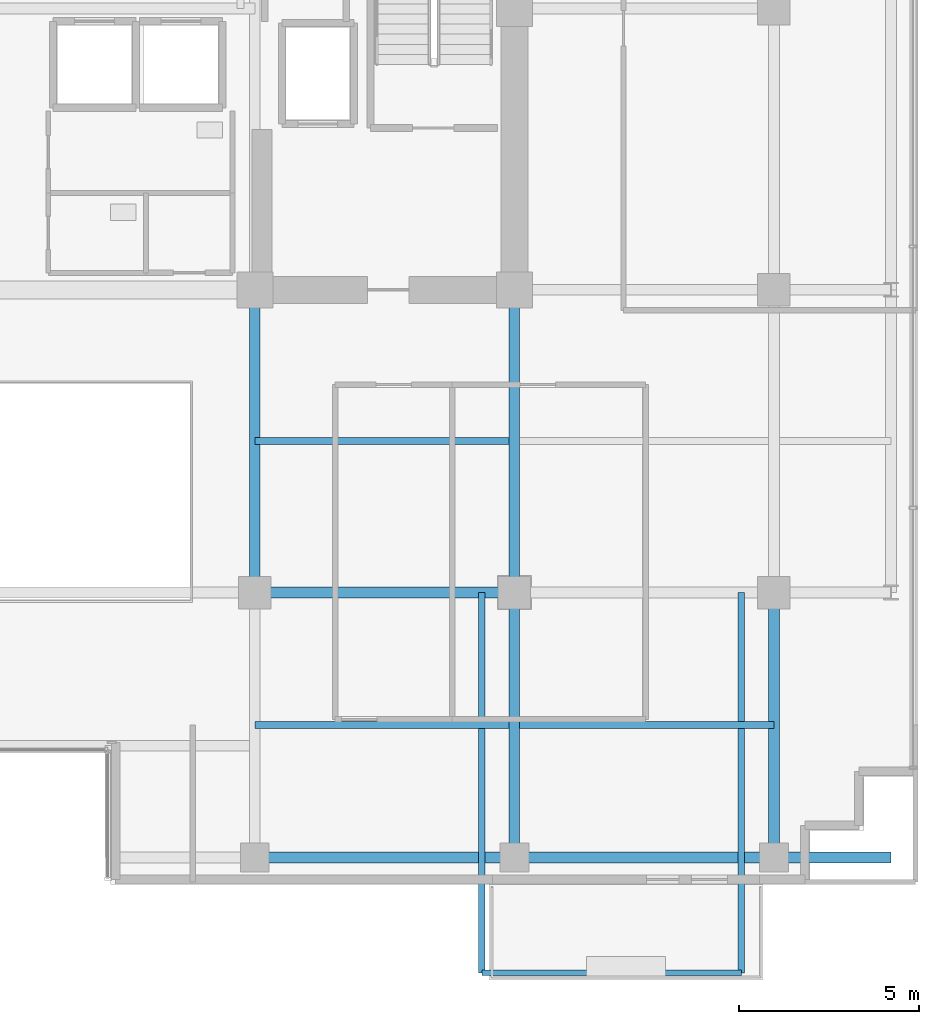
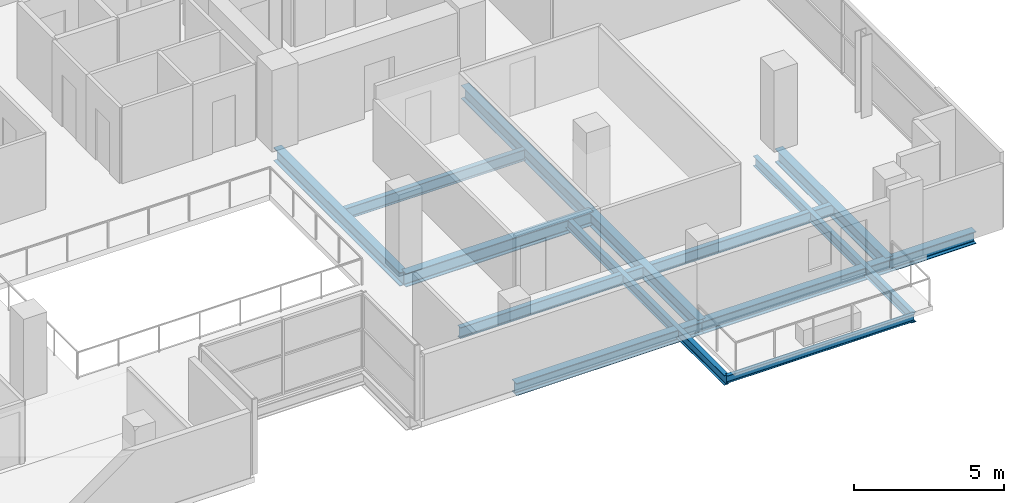
# One storey, part 11 of 28: 14 beams.
"""IFC4 building model written with IfcOpenShell, lengths in metres."""

import ifcopenshell
import ifcopenshell.guid

model = None  # the IFC model being written
_history = None  # IfcOwnerHistory: only IFC2X3 demands one
_inside = {}  # id of a spatial element -> (the spatial element, [elements in it])
_under = {}  # id of a project, library or spatial element -> (it, [spatial elements below it])
_declared = {}  # id of a project -> (the project, [libraries it declares])
_typed = {}  # id of a type object -> (the type object, [elements of that type])
_made_of = {}  # id of a material, layer set ... -> (it, [elements and type objects made of it])


def new_model(schema):
    """Start an empty IFC model of exactly this schema.

    Asked for "IFC4X3", IfcOpenShell would pick the latest addendum, in which some entities
    have other attributes; the version numbers below select the first issue.
    IFC2X3 requires an IfcOwnerHistory on every rooted entity: one is made here for all.
    """
    global model, _history
    if schema == "IFC4X3":
        model = ifcopenshell.file(schema_version=(4, 3, 0, 0))
    else:
        model = ifcopenshell.file(schema=schema)
    _inside.clear()
    _under.clear()
    _declared.clear()
    _typed.clear()
    _made_of.clear()
    _history = None
    if model.schema == "IFC2X3":
        org = make("IfcOrganization", Name="unknown")
        user = make(
            "IfcPersonAndOrganization",
            ThePerson=make("IfcPerson", FamilyName="unknown"),
            TheOrganization=org,
        )
        app = make(
            "IfcApplication",
            ApplicationDeveloper=org,
            Version="unknown",
            ApplicationFullName="unknown",
            ApplicationIdentifier="unknown",
        )
        _history = make(
            "IfcOwnerHistory",
            OwningUser=user,
            OwningApplication=app,
            ChangeAction="ADDED",
            CreationDate=0,
        )
    return model


def make(cls, **values):
    """One entity of the class cls with the attributes given. An attribute that is None is left unset."""
    return model.create_entity(
        cls, **{name: value for name, value in values.items() if value is not None}
    )


def rooted(cls, **values):
    """An entity with a GlobalId (a new one), such as an element, a storey or a relation."""
    return make(cls, GlobalId=ifcopenshell.guid.new(), OwnerHistory=_history, **values)


def si_unit(unit_type, name, prefix=None):
    """IfcSIUnit, for example si_unit("LENGTHUNIT", "METRE", prefix="MILLI")."""
    return make("IfcSIUnit", UnitType=unit_type, Prefix=prefix, Name=name)


def assignment(units):
    """IfcUnitAssignment: the units of a project."""
    return None if units is None else make("IfcUnitAssignment", Units=units)


def point(xyz):
    """IfcCartesianPoint."""
    return None if xyz is None else make("IfcCartesianPoint", Coordinates=xyz)


def direction(xyz):
    """IfcDirection."""
    return None if xyz is None else make("IfcDirection", DirectionRatios=xyz)


def frame(location, z_axis=None, x_axis=None):
    """IfcAxis2Placement3D, a coordinate frame: its origin and axes. An axis left out is left unset."""
    return make(
        "IfcAxis2Placement3D",
        Location=point(location),
        Axis=direction(z_axis),
        RefDirection=direction(x_axis),
    )


def frame_2d(location, x_axis=None):
    """IfcAxis2Placement2D, a coordinate frame in the plane: its origin and x axis."""
    return make(
        "IfcAxis2Placement2D", Location=point(location), RefDirection=direction(x_axis)
    )


def origin():
    """The frame at (0, 0, 0) with its axes left unset."""
    return frame((0.0, 0.0, 0.0))


def origin_2d():
    """The frame at (0, 0) in the plane with its x axis left unset."""
    return frame_2d((0.0, 0.0))


def place(relative_to, where):
    """IfcLocalPlacement: puts the frame where relative to a parent placement (None: the world)."""
    return make(
        "IfcLocalPlacement", PlacementRelTo=relative_to, RelativePlacement=where
    )


def context(
    kind, dimensions, precision=None, world=None, true_north=None, identifier=None
):
    """IfcGeometricRepresentationContext, for example the 3D "Model" context."""
    return make(
        "IfcGeometricRepresentationContext",
        ContextIdentifier=identifier,
        ContextType=kind,
        CoordinateSpaceDimension=dimensions,
        Precision=precision,
        WorldCoordinateSystem=world,
        TrueNorth=true_north,
    )


def subcontext(parent, identifier, kind, view, scale=None):
    """IfcGeometricRepresentationSubContext, for example "Body" below "Model"."""
    return make(
        "IfcGeometricRepresentationSubContext",
        ContextIdentifier=identifier,
        ContextType=kind,
        ParentContext=parent,
        TargetScale=scale,
        TargetView=view,
    )


def project(units=None, contexts=None):
    """IfcProject with its units and contexts."""
    return rooted(
        "IfcProject",
        Name="project",
        RepresentationContexts=contexts,
        UnitsInContext=assignment(units),
    )


def spatial(cls, under=None, at=None, **own):
    """A site, building, storey or space (cls), placed at a placement, below another one or the project."""
    s = rooted(cls, ObjectPlacement=at, **own)
    if under is not None:
        _under.setdefault(under.id(), (under, []))[1].append(s)
    return s


def profile(cls, at=None, kind="AREA", **sizes):
    """A parametric profile (cls). Its sizes go by their IFC names, for example OverallWidth=200.0."""
    return make(cls, ProfileType=kind, Position=at, **sizes)


def i_section(**sizes):
    """IfcIShapeProfileDef."""
    return profile("IfcIShapeProfileDef", **sizes)


def extrude(swept, where, along, depth):
    """IfcExtrudedAreaSolid: the profile swept, set in the frame where, extruded along a direction by depth."""
    return make(
        "IfcExtrudedAreaSolid",
        SweptArea=swept,
        Position=where,
        ExtrudedDirection=direction(along),
        Depth=depth,
    )


def shape(context_of_items, identifier, shape_type, items):
    """IfcShapeRepresentation: the items that make up one representation, for example the "Body"."""
    return make(
        "IfcShapeRepresentation",
        ContextOfItems=context_of_items,
        RepresentationIdentifier=identifier,
        RepresentationType=shape_type,
        Items=items,
    )


def material(Name=None, Category=None):
    """IfcMaterial."""
    return make("IfcMaterial", Name=Name, Category=Category)


def material_profile(
    of_material, cross_section, Name=None, Category=None, Priority=None
):
    """IfcMaterialProfile: a cross section and its material."""
    return make(
        "IfcMaterialProfile",
        Name=Name,
        Material=of_material,
        Profile=cross_section,
        Priority=Priority,
        Category=Category,
    )


def profile_set(profiles, Name=None, composite=None):
    """IfcMaterialProfileSet."""
    return make(
        "IfcMaterialProfileSet",
        Name=Name,
        MaterialProfiles=profiles,
        CompositeProfile=composite,
    )


def made_of(thing, what):
    """Note that an element or type object is made of a material, layer set ...; save() writes the relation."""
    if what is not None:
        _made_of.setdefault(what.id(), (what, []))[1].append(thing)
    return thing


def type_object(cls, material=None, **own):
    """A type object (cls), such as IfcWallType, which elements share."""
    return made_of(rooted(cls, **own), material)


def element(
    cls,
    number,
    at=None,
    inside=None,
    cuts=None,
    type_object=None,
    material=None,
    context=None,
    identifier="Body",
    shape_type=None,
    held_by="IfcProductDefinitionShape",
    body=None,
    shapes=None,
    **own,
):
    """One element of the class cls, such as IfcWall. Its Tag is "e" and its number.

    at: its placement. inside: the storey or other place that contains it. cuts: it is an
    opening in that element (IfcRelVoidsElement). A single representation is given by context,
    identifier, shape_type and body (its items); several are given by shapes. held_by: the class
    of the entity that holds the representations. save() writes the other relations.
    """
    e = rooted(cls, Tag="e%d" % number, ObjectPlacement=at, **own)
    if body is not None:
        shapes = [shape(context, identifier, shape_type, body)]
    if shapes is not None:
        e.Representation = make(held_by, Representations=shapes)
    if inside is not None:
        _inside.setdefault(inside.id(), (inside, []))[1].append(e)
    if cuts is not None:
        rooted(
            "IfcRelVoidsElement", RelatingBuildingElement=cuts, RelatedOpeningElement=e
        )
    if type_object is not None:
        _typed.setdefault(type_object.id(), (type_object, []))[1].append(e)
    return made_of(e, material)


def aggregate(whole, parts):
    """IfcRelAggregates: a whole, such as a stair, and the parts it consists of."""
    return rooted("IfcRelAggregates", RelatingObject=whole, RelatedObjects=parts)


def save(model, path):
    """Write the relations noted so far, then the file.

    IfcRelAggregates (storeys below a building ...), IfcRelContainedInSpatialStructure (elements
    in a storey), IfcRelDefinesByType, IfcRelAssociatesMaterial and IfcRelDeclares: one each for
    every whole, place, type object, material and project.
    """
    for whole, parts in _under.values():
        aggregate(whole, parts)
    for where, things in _inside.values():
        rooted(
            "IfcRelContainedInSpatialStructure",
            RelatedElements=things,
            RelatingStructure=where,
        )
    for kind, things in _typed.values():
        rooted("IfcRelDefinesByType", RelatedObjects=things, RelatingType=kind)
    for what, things in _made_of.values():
        rooted("IfcRelAssociatesMaterial", RelatedObjects=things, RelatingMaterial=what)
    for by, libraries in _declared.values():
        rooted("IfcRelDeclares", RelatingContext=by, RelatedDefinitions=libraries)
    model.write(path)


model = new_model("IFC4")

# Units and contexts
model_context = context("Model", 3, precision=1e-05, world=origin(), true_north=direction((0.0, 1.0)))
body_context = subcontext(model_context, "Body", "Model", "MODEL_VIEW")
ifc_project = project(units=[si_unit("LENGTHUNIT", "METRE"), si_unit("AREAUNIT", "SQUARE_METRE"), si_unit("VOLUMEUNIT", "CUBIC_METRE"), si_unit("PLANEANGLEUNIT", "RADIAN"), si_unit("MASSUNIT", "GRAM", prefix="KILO")], contexts=[model_context])

# Site, building, storey
site_placement = place(None, origin())
site = spatial("IfcSite", under=ifc_project, at=site_placement, CompositionType="ELEMENT")
building_placement = place(site_placement, origin())
building = spatial("IfcBuilding", under=site, at=building_placement, Name="Zarnakvel Exchange Tower", CompositionType="ELEMENT")
storey_placement = place(building_placement, frame((0.0, 0.0, 90.10009765625)))
storey = spatial("IfcBuildingStorey", under=building, at=storey_placement, Name="L24", CompositionType="ELEMENT", Elevation=90.10009765625)

# Beams
ifc_material = material(Name="Steel S355", Category="steel")
ifc_material_profile_1 = material_profile(ifc_material, i_section(OverallWidth=0.18994140625, OverallDepth=0.449951171875, WebThickness=0.009521484375, FlangeThickness=0.0146484375, FilletRadius=0.02099609375, at=origin_2d()))
ifc_profile_set_1 = profile_set([ifc_material_profile_1], Name="Steel S355")
beam_type_1 = type_object("IfcBeamType", Name="B-05", PredefinedType="JOIST", material=ifc_profile_set_1)
for number, where, z_axis, x_axis, name in (
    (1, (7.199951171875, -13.27490234375, -0.4501953125), (1.0, 0.0, 0.0), (0.0, 1.0, 0.0), "L24 Composite Floor Secondary Joist"),
    (2, (14.550048828125, -13.27490234375, -0.4501953125), (1.0, 0.0, 0.0), (0.0, 1.0, 0.0), "L24 Composite Floor Secondary Joist"),
    (3, (7.199951171875, -5.39990234375, -0.4501953125), (1.0, 0.0, 0.0), (0.0, 1.0, 0.0), "L24 Composite Floor Secondary Joist"),
):
    element("IfcBeam", number, at=place(storey_placement, frame(where, z_axis=z_axis, x_axis=x_axis)), inside=storey, type_object=beam_type_1, Name=name, PredefinedType="JOIST", context=body_context, shape_type="SweptSolid", body=[
        extrude(i_section(OverallWidth=0.18994140625, OverallDepth=0.449951171875, WebThickness=0.009521484375, FlangeThickness=0.0146484375, FilletRadius=0.02099609375, at=origin_2d()), origin(), (0.0, 0.0, 1.0), 7.050048828125),
    ])
ifc_material_profile_2 = material_profile(ifc_material, i_section(OverallWidth=0.179931640625, OverallDepth=0.39990234375, WebThickness=0.008544921875, FlangeThickness=0.013427734375, FilletRadius=0.02099609375, at=origin_2d()))
ifc_profile_set_2 = profile_set([ifc_material_profile_2], Name="Steel S355")
beam_type_2 = type_object("IfcBeamType", Name="B-06", PredefinedType="JOIST", material=ifc_profile_set_2)
for number, where, z_axis, x_axis, name in (
    (4, (13.5, -9.60009765625, -0.425048828125), (0.0, -1.0, 0.0), (1.0, 0.0, 0.0), "L24 Continuous Back-Spanned Balcony Beam W"),
    (5, (20.699951171875, -9.60009765625, -0.425048828125), (0.0, -1.0, 0.0), (1.0, 0.0, 0.0), "L24 Continuous Back-Spanned Balcony Beam E"),
):
    element("IfcBeam", number, at=place(storey_placement, frame(where, z_axis=z_axis, x_axis=x_axis)), inside=storey, type_object=beam_type_2, Name=name, PredefinedType="JOIST", context=body_context, shape_type="SweptSolid", body=[
        extrude(i_section(OverallWidth=0.179931640625, OverallDepth=0.39990234375, WebThickness=0.008544921875, FlangeThickness=0.013427734375, FilletRadius=0.02099609375, at=origin_2d()), origin(), (0.0, 0.0, 1.0), 10.5498046875),
    ])
ifc_material_profile_3 = material_profile(ifc_material, i_section(OverallWidth=0.14990234375, OverallDepth=0.300048828125, WebThickness=0.007080078125, FlangeThickness=0.0107421875, FilletRadius=0.014892578125, at=origin_2d()))
ifc_profile_set_3 = profile_set([ifc_material_profile_3], Name="Steel S355")
beam_type_3 = type_object("IfcBeamType", Name="B-08", PredefinedType="JOIST", material=ifc_profile_set_3)
beam_1_placement = place(storey_placement, frame((13.5, -20.14990234375, -0.375), z_axis=(1.0, 0.0, 0.0), x_axis=(0.0, 1.0, 0.0)))
element("IfcBeam", 6, at=beam_1_placement, inside=storey, type_object=beam_type_3, Name="L24 Balcony Edge Beam", PredefinedType="JOIST", context=body_context, shape_type="SweptSolid", body=[
    extrude(i_section(OverallWidth=0.14990234375, OverallDepth=0.300048828125, WebThickness=0.007080078125, FlangeThickness=0.0107421875, FilletRadius=0.014892578125, at=origin_2d()), origin(), (0.0, 0.0, 1.0), 7.199951171875),
])
ifc_material_profile_4 = material_profile(ifc_material, i_section(OverallWidth=0.300048828125, OverallDepth=0.550048828125, WebThickness=0.014892578125, FlangeThickness=0.029052734375, FilletRadius=0.027099609375, at=origin_2d()))
ifc_profile_set_4 = profile_set([ifc_material_profile_4], Name="Steel S355")
beam_type_4 = type_object("IfcBeamType", Name="G-05", PredefinedType="BEAM", material=ifc_profile_set_4)
beam_2_placement = place(storey_placement, frame((7.199951171875, -9.60009765625, -0.5), z_axis=(1.0, 0.0, 0.0), x_axis=(0.0, 1.0, 0.0)))
element("IfcBeam", 7, at=beam_2_placement, inside=storey, type_object=beam_type_4, Name="L24 Tower E-W Frame Beam", PredefinedType="BEAM", context=body_context, shape_type="SweptSolid", body=[
    extrude(i_section(OverallWidth=0.300048828125, OverallDepth=0.550048828125, WebThickness=0.014892578125, FlangeThickness=0.029052734375, FilletRadius=0.027099609375, at=origin_2d()), origin(), (0.0, 0.0, 1.0), 7.199951171875),
])
beam_3_placement = place(storey_placement, frame((7.199951171875, -9.60009765625, -0.5), z_axis=(0.0, 1.0, 0.0), x_axis=(-1.0, 0.0, 0.0)))
element("IfcBeam", 8, at=beam_3_placement, inside=storey, type_object=beam_type_4, Name="L24 Tower N-S Frame Beam", PredefinedType="BEAM", context=body_context, shape_type="SweptSolid", body=[
    extrude(i_section(OverallWidth=0.300048828125, OverallDepth=0.550048828125, WebThickness=0.014892578125, FlangeThickness=0.029052734375, FilletRadius=0.027099609375, at=origin_2d()), origin(), (0.0, 0.0, 1.0), 8.400146484375),
])
beam_4_placement = place(storey_placement, frame((14.39990234375, -16.949951171875, -0.5), z_axis=(0.0, 1.0, 0.0), x_axis=(-1.0, 0.0, 0.0)))
element("IfcBeam", 9, at=beam_4_placement, inside=storey, type_object=beam_type_4, Name="L24 Tower N-S Frame Beam", PredefinedType="BEAM", context=body_context, shape_type="SweptSolid", body=[
    extrude(i_section(OverallWidth=0.300048828125, OverallDepth=0.550048828125, WebThickness=0.014892578125, FlangeThickness=0.029052734375, FilletRadius=0.027099609375, at=origin_2d()), origin(), (0.0, 0.0, 1.0), 7.349853515625),
])
beam_5_placement = place(storey_placement, frame((14.39990234375, -9.60009765625, -0.5), z_axis=(0.0, 1.0, 0.0), x_axis=(-1.0, 0.0, 0.0)))
element("IfcBeam", 10, at=beam_5_placement, inside=storey, type_object=beam_type_4, Name="L24 Tower N-S Frame Beam", PredefinedType="BEAM", context=body_context, shape_type="SweptSolid", body=[
    extrude(i_section(OverallWidth=0.300048828125, OverallDepth=0.550048828125, WebThickness=0.014892578125, FlangeThickness=0.029052734375, FilletRadius=0.027099609375, at=origin_2d()), origin(), (0.0, 0.0, 1.0), 8.400146484375),
])
beam_6_placement = place(storey_placement, frame((21.60009765625, -16.949951171875, -0.5), z_axis=(0.0, 1.0, 0.0), x_axis=(-1.0, 0.0, 0.0)))
element("IfcBeam", 11, at=beam_6_placement, inside=storey, type_object=beam_type_4, Name="L24 Tower N-S Frame Beam", PredefinedType="BEAM", context=body_context, shape_type="SweptSolid", body=[
    extrude(i_section(OverallWidth=0.300048828125, OverallDepth=0.550048828125, WebThickness=0.014892578125, FlangeThickness=0.029052734375, FilletRadius=0.027099609375, at=origin_2d()), origin(), (0.0, 0.0, 1.0), 7.349853515625),
])
ifc_material_profile_5 = material_profile(ifc_material, i_section(OverallWidth=0.300048828125, OverallDepth=0.5, WebThickness=0.014404296875, FlangeThickness=0.028076171875, FilletRadius=0.027099609375, at=origin_2d()))
ifc_profile_set_5 = profile_set([ifc_material_profile_5], Name="Steel S355")
beam_type_5 = type_object("IfcBeamType", Name="SP-02", PredefinedType="SPANDREL", material=ifc_profile_set_5)
beam_7_placement = place(storey_placement, frame((7.199951171875, -16.949951171875, -0.47509765625), z_axis=(1.0, 0.0, 0.0), x_axis=(0.0, 1.0, 0.0)))
element("IfcBeam", 12, at=beam_7_placement, inside=storey, type_object=beam_type_5, Name="L24 Tower E-W Frame Beam", PredefinedType="SPANDREL", context=body_context, shape_type="SweptSolid", body=[
    extrude(i_section(OverallWidth=0.300048828125, OverallDepth=0.5, WebThickness=0.014404296875, FlangeThickness=0.028076171875, FilletRadius=0.027099609375, at=origin_2d()), origin(), (0.0, 0.0, 1.0), 7.199951171875),
])
beam_8_placement = place(storey_placement, frame((14.39990234375, -16.949951171875, -0.47509765625), z_axis=(1.0, 0.0, 0.0), x_axis=(0.0, 1.0, 0.0)))
element("IfcBeam", 13, at=beam_8_placement, inside=storey, type_object=beam_type_5, Name="L24 Tower E-W Frame Beam", PredefinedType="SPANDREL", context=body_context, shape_type="SweptSolid", body=[
    extrude(i_section(OverallWidth=0.300048828125, OverallDepth=0.5, WebThickness=0.014404296875, FlangeThickness=0.028076171875, FilletRadius=0.027099609375, at=origin_2d()), origin(), (0.0, 0.0, 1.0), 7.2001953125),
])
beam_9_placement = place(storey_placement, frame((21.60009765625, -16.949951171875, -0.47509765625), z_axis=(1.0, 0.0, 0.0), x_axis=(0.0, 1.0, 0.0)))
element("IfcBeam", 14, at=beam_9_placement, inside=storey, type_object=beam_type_5, Name="L24 South-East Corner Spandrel", PredefinedType="SPANDREL", context=body_context, shape_type="SweptSolid", body=[
    extrude(i_section(OverallWidth=0.300048828125, OverallDepth=0.5, WebThickness=0.014404296875, FlangeThickness=0.028076171875, FilletRadius=0.027099609375, at=origin_2d()), origin(), (0.0, 0.0, 1.0), 3.25),
])

save(model, "model.ifc")
